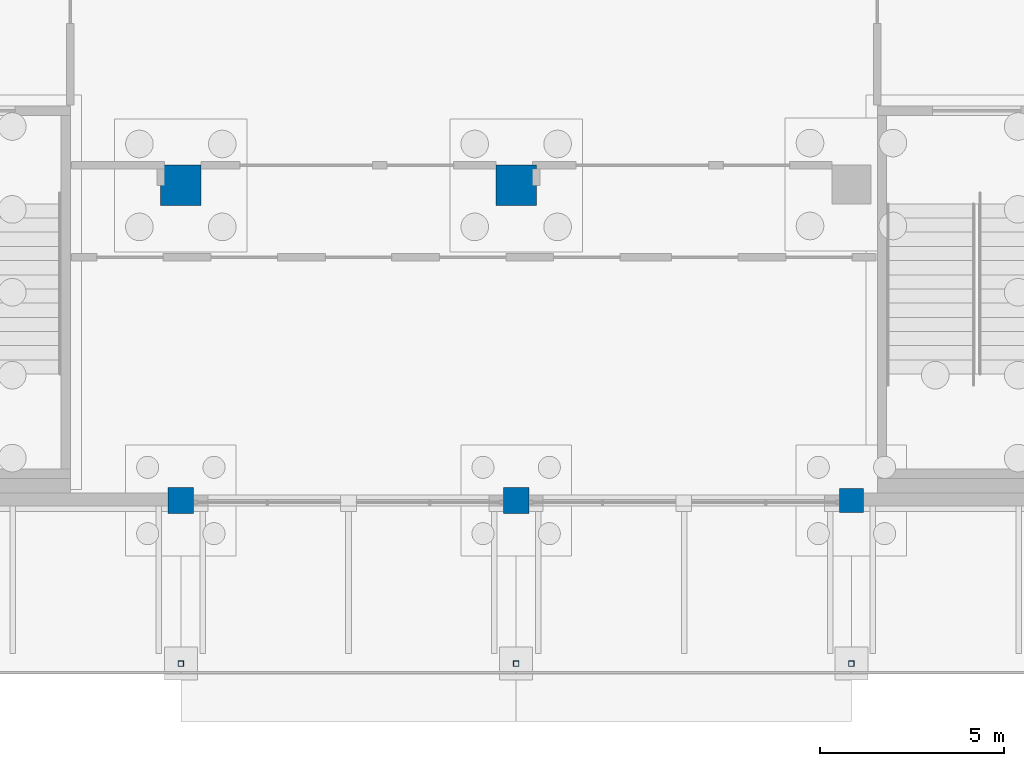
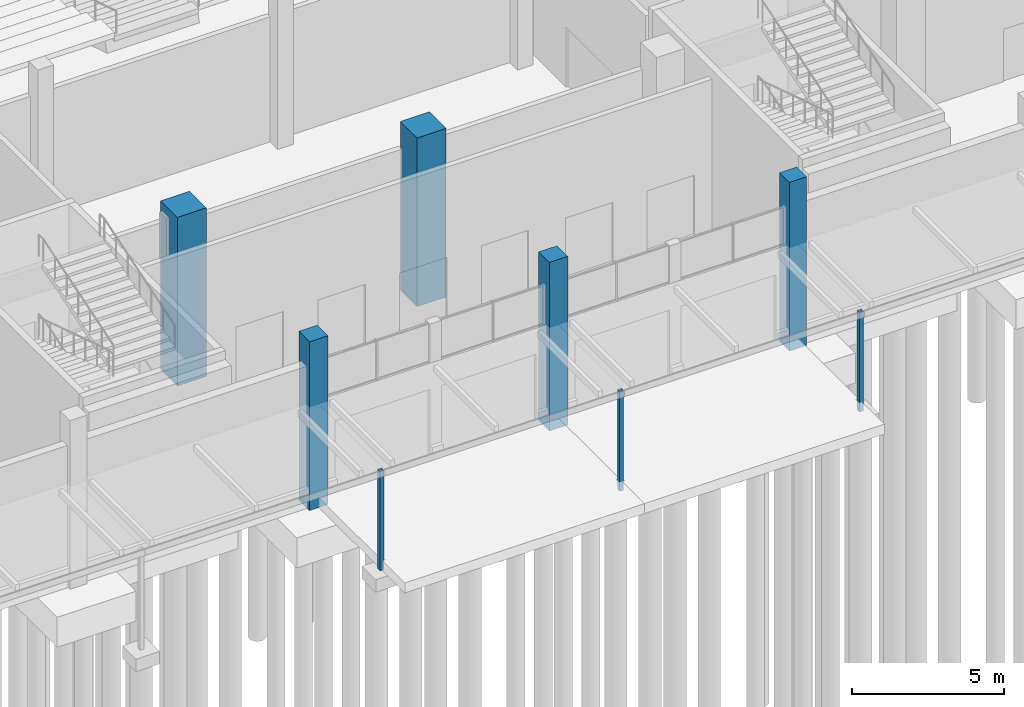
# One storey, part 17 of 129: 8 columns.
"""IFC4 building model written with IfcOpenShell, lengths in metres."""

from ifc_helpers import new_model, si_unit, direction, frame, origin, origin_2d, place, context, subcontext, project, spatial, rectangle, hollow_rectangle, extrude, material, material_profile, profile_set, type_object, element, save


model = new_model("IFC4")

# Units and contexts
model_context = context("Model", 3, precision=1e-05, world=origin(), true_north=direction((0.0, 1.0)))
body_context = subcontext(model_context, "Body", "Model", "MODEL_VIEW")
ifc_project = project(units=[si_unit("LENGTHUNIT", "METRE"), si_unit("AREAUNIT", "SQUARE_METRE"), si_unit("VOLUMEUNIT", "CUBIC_METRE"), si_unit("PLANEANGLEUNIT", "RADIAN"), si_unit("MASSUNIT", "GRAM", prefix="KILO")], contexts=[model_context])

# Site, building, storey
site_placement = place(None, origin())
site = spatial("IfcSite", under=ifc_project, at=site_placement, CompositionType="ELEMENT")
building_placement = place(site_placement, origin())
building = spatial("IfcBuilding", under=site, at=building_placement, Name="Shirokan Park Arena", CompositionType="ELEMENT")
storey_placement = place(building_placement, origin())
storey = spatial("IfcBuildingStorey", under=building, at=storey_placement, Name="L00", CompositionType="ELEMENT", Elevation=0.0)

# Columns
ifc_material_1 = material(Name="Concrete C35", Category="concrete")
ifc_material_profile_1 = material_profile(ifc_material_1, rectangle(XDim=1.10009765625, YDim=1.10009765625, at=origin_2d()), Name="1100x1100")
ifc_profile_set_1 = profile_set([ifc_material_profile_1], Name="Concrete C35")
column_type_1 = type_object("IfcColumnType", Name="RC column 1100x1100", PredefinedType="COLUMN", material=ifc_profile_set_1)
for number, where, z_axis, x_axis, name in (
    (1, (63.699951171875, 8.550048828125, -0.39990234375), (0.0, 0.0, 1.0), (1.0, 0.0, 0.0), "Column 8B L00"),
    (2, (72.800048828125, 8.550048828125, -0.39990234375), (0.0, 0.0, 1.0), (1.0, 0.0, 0.0), "Column 9B L00"),
):
    element("IfcColumn", number, at=place(storey_placement, frame(where, z_axis=z_axis, x_axis=x_axis)), inside=storey, type_object=column_type_1, Name=name, PredefinedType="COLUMN", context=body_context, shape_type="SweptSolid", body=[
        extrude(rectangle(XDim=1.10009765625, YDim=1.10009765625, at=origin_2d()), origin(), (0.0, 0.0, 1.0), 6.77001953125),
    ])
ifc_material_profile_2 = material_profile(ifc_material_1, rectangle(XDim=0.64990234375, YDim=0.64990234375, at=origin_2d()), Name="650x650")
ifc_profile_set_2 = profile_set([ifc_material_profile_2], Name="Concrete C35")
column_type_2 = type_object("IfcColumnType", Name="RC column 650x650", PredefinedType="COLUMN", material=ifc_profile_set_2)
column_placement = place(storey_placement, frame((81.89990234375, 0.0, -0.39990234375), z_axis=(0.0, 0.0, 1.0), x_axis=(1.0, 0.0, 0.0)))
element("IfcColumn", 3, at=column_placement, inside=storey, type_object=column_type_2, Name="Column 10A L00", PredefinedType="COLUMN", context=body_context, shape_type="SweptSolid", body=[
    extrude(rectangle(XDim=0.64990234375, YDim=0.64990234375, at=origin_2d()), origin(), (0.0, 0.0, 1.0), 6.77001953125),
])
ifc_material_profile_3 = material_profile(ifc_material_1, rectangle(XDim=0.699951171875, YDim=0.699951171875, at=origin_2d()), Name="700x700")
ifc_profile_set_3 = profile_set([ifc_material_profile_3], Name="Concrete C35")
column_type_3 = type_object("IfcColumnType", Name="RC column 700x700", PredefinedType="COLUMN", material=ifc_profile_set_3)
for number, where, z_axis, x_axis, name in (
    (4, (63.699951171875, 0.0, -0.39990234375), (0.0, 0.0, 1.0), (1.0, 0.0, 0.0), "Column 8A L00"),
    (5, (72.800048828125, 0.0, -0.39990234375), (0.0, 0.0, 1.0), (1.0, 0.0, 0.0), "Column 9A L00"),
):
    element("IfcColumn", number, at=place(storey_placement, frame(where, z_axis=z_axis, x_axis=x_axis)), inside=storey, type_object=column_type_3, Name=name, PredefinedType="COLUMN", context=body_context, shape_type="SweptSolid", body=[
        extrude(rectangle(XDim=0.699951171875, YDim=0.699951171875, at=origin_2d()), origin(), (0.0, 0.0, 1.0), 6.77001953125),
    ])
ifc_material_2 = material(Name="Steel S355", Category="steel")
ifc_material_profile_4 = material_profile(ifc_material_2, hollow_rectangle(XDim=0.14990234375, YDim=0.14990234375, WallThickness=0.008056640625, at=origin_2d()), Name="RHS 150x150x8")
ifc_profile_set_4 = profile_set([ifc_material_profile_4], Name="Steel S355")
column_type_4 = type_object("IfcColumnType", Name="Steel post RHS 150x150x8", PredefinedType="COLUMN", material=ifc_profile_set_4)
for number, where, z_axis, x_axis, name in (
    (6, (63.699951171875, -4.425048828125, -0.39990234375), (0.0, 0.0, 1.0), (1.0, 0.0, 0.0), "Canopy post south grid 8"),
    (7, (72.800048828125, -4.425048828125, -0.39990234375), (0.0, 0.0, 1.0), (1.0, 0.0, 0.0), "Canopy post south grid 9"),
    (8, (81.89990234375, -4.425048828125, -0.39990234375), (0.0, 0.0, 1.0), (1.0, 0.0, 0.0), "Canopy post south grid 10"),
):
    element("IfcColumn", number, at=place(storey_placement, frame(where, z_axis=z_axis, x_axis=x_axis)), inside=storey, type_object=column_type_4, Name=name, PredefinedType="COLUMN", context=body_context, shape_type="SweptSolid", body=[
        extrude(hollow_rectangle(XDim=0.14990234375, YDim=0.14990234375, WallThickness=0.008056640625, at=origin_2d()), origin(), (0.0, 0.0, 1.0), 4.0),
    ])

save(model, "model.ifc")
